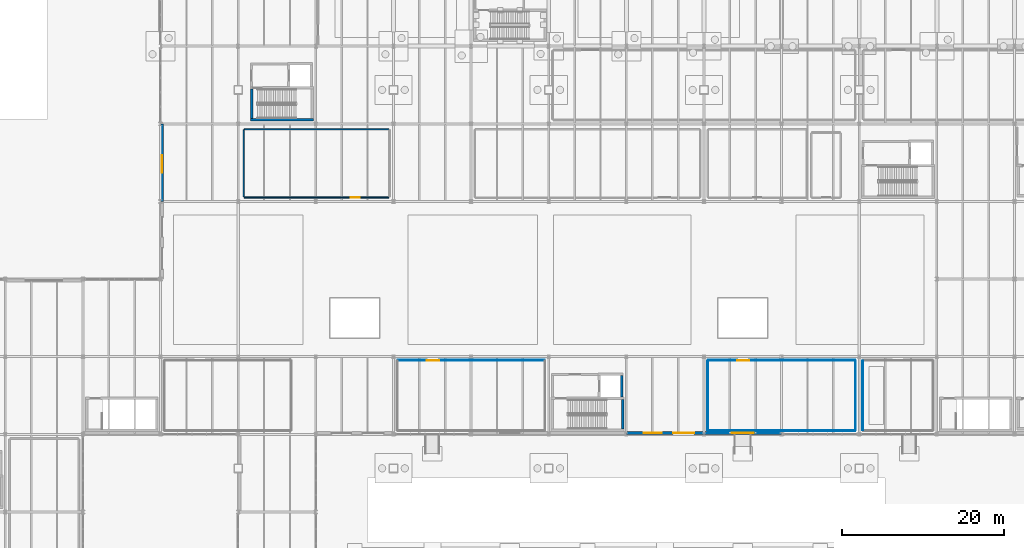
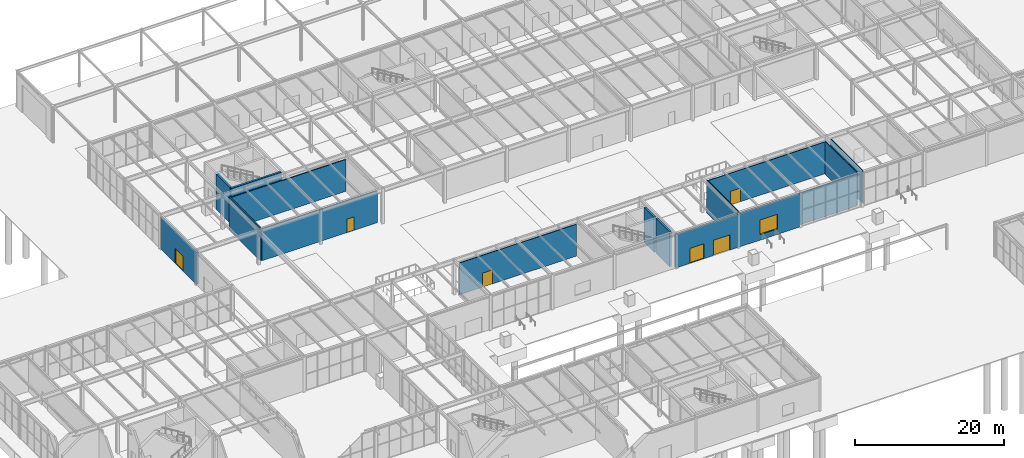
# One storey, part 120 of 142: 16 walls, 6 doors, 1 window, 7 openings.
"""IFC4 building model written with IfcOpenShell, lengths in metres."""

from ifc_helpers import new_model, si_unit, direction, frame, frame_2d, origin, place, context, subcontext, project, spatial, rectangle, extrude, material, layer, layer_set, type_object, element, fill, save


model = new_model("IFC4")

# Units and contexts
model_context = context("Model", 3, precision=1e-05, world=origin(), true_north=direction((0.0, 1.0)))
body_context = subcontext(model_context, "Body", "Model", "MODEL_VIEW")
ifc_project = project(units=[si_unit("LENGTHUNIT", "METRE"), si_unit("AREAUNIT", "SQUARE_METRE"), si_unit("VOLUMEUNIT", "CUBIC_METRE"), si_unit("PLANEANGLEUNIT", "RADIAN"), si_unit("MASSUNIT", "GRAM", prefix="KILO")], contexts=[model_context])

# Site, building, storey
site_placement = place(None, origin())
site = spatial("IfcSite", under=ifc_project, at=site_placement, CompositionType="ELEMENT")
building_placement = place(site_placement, origin())
building = spatial("IfcBuilding", under=site, at=building_placement, Name="Coralgate Yard Interchange", CompositionType="ELEMENT")
storey_placement = place(building_placement, origin())
storey = spatial("IfcBuildingStorey", under=building, at=storey_placement, Name="L00", CompositionType="ELEMENT", Elevation=0.0)

# Walls
ifc_material_1 = material(Name="Concrete C40/50", Category="concrete")
ifc_layer_1 = layer(ifc_material_1, 0.300048828125)
ifc_layer_set_1 = layer_set([ifc_layer_1], Name="Concrete C40/50")
wall_type_1 = type_object("IfcWallType", Name="WAL-CW300", PredefinedType="SHEAR", material=ifc_layer_set_1)
wall_1_placement = place(storey_placement, frame((49.5, 77.300048828125, 0.0), z_axis=(0.0, 0.0, 1.0), x_axis=(1.0, 0.0, 0.0)))
element("IfcWall", 1, at=wall_1_placement, inside=storey, type_object=wall_type_1, Name="C5 L00 stair south shear wall", PredefinedType="SHEAR", context=body_context, shape_type="SweptSolid", body=[
    extrude(rectangle(XDim=7.800048828125, YDim=0.300048828125, at=frame_2d((3.89990234375, 0.0))), origin(), (0.0, 0.0, 1.0), 5.75),
])
wall_2_placement = place(storey_placement, frame((49.64990234375, 77.449951171875, 0.0), z_axis=(0.0, 0.0, 1.0), x_axis=(0.0, 1.0, 0.0)))
element("IfcWall", 2, at=wall_2_placement, inside=storey, type_object=wall_type_1, Name="C5 L00 stair west shear wall", PredefinedType="SHEAR", context=body_context, shape_type="SweptSolid", body=[
    extrude(rectangle(XDim=3.650146484375, YDim=0.300048828125, at=frame_2d((1.8251953125, 0.0))), origin(), (0.0, 0.0, 1.0), 5.75),
])
wall_3_placement = place(storey_placement, frame((95.550048828125, 42.699951171875, 0.0), z_axis=(0.0, 0.0, 1.0), x_axis=(0.0, -1.0, 0.0)))
element("IfcWall", 3, at=wall_3_placement, inside=storey, type_object=wall_type_1, Name="C6 L00 stair east shear wall", PredefinedType="SHEAR", context=body_context, shape_type="SweptSolid", body=[
    extrude(rectangle(XDim=3.64990234375, YDim=0.300048828125, at=frame_2d((1.824951171875, 0.0))), origin(), (0.0, 0.0, 1.0), 5.75),
])
wall_4_placement = place(storey_placement, frame((95.449951171875, 43.0, 0.0), z_axis=(0.0, 0.0, 1.0), x_axis=(0.0, 1.0, 0.0)))
element("IfcWall", 4, at=wall_4_placement, inside=storey, type_object=wall_type_1, Name="C6 L00 lift rear shear wall", PredefinedType="SHEAR", context=body_context, shape_type="SweptSolid", body=[
    extrude(rectangle(XDim=2.699951171875, YDim=0.300048828125, at=frame_2d((1.35009765625, 0.0))), origin(), (0.0, 0.0, 1.0), 5.75),
])

# Wall, opening, door
ifc_material_2 = material(Name="Precast concrete C40/50", Category="concrete")
ifc_layer_2 = layer(ifc_material_2, 0.35009765625)
ifc_layer_set_2 = layer_set([ifc_layer_2], Name="Precast concrete C40/50")
wall_type_2 = type_object("IfcWallType", Name="WAL-EW-350", PredefinedType="SOLIDWALL", material=ifc_layer_set_2)
wall_5_placement = place(storey_placement, frame((38.574951171875, 67.219970703125, 0.0), z_axis=(0.0, 0.0, 1.0), x_axis=(0.0, 1.0, 0.0)))
wall_5 = element("IfcWall", 5, at=wall_5_placement, inside=storey, type_object=wall_type_2, Name="L00 exterior coastal wall W 4-7", PredefinedType="SOLIDWALL", context=body_context, shape_type="SweptSolid", body=[
    extrude(rectangle(XDim=9.56005859375, YDim=0.35009765625, at=frame_2d((4.780029296875, 0.0))), origin(), (0.0, 0.0, 1.0), 5.216796875),
])
opening_1_placement = place(wall_5_placement, frame((3.5, 0.0, 0.0)))
opening_1 = element("IfcOpeningElement", 6, at=opening_1_placement, cuts=wall_5, Name="Opening ED-5", PredefinedType="OPENING", context=body_context, shape_type="SweptSolid", body=[
    extrude(rectangle(XDim=2.199951171875, YDim=2.449951171875, at=frame_2d((1.10009765625, 1.22509765625))), frame((0.0, 0.18505859375, 0.0), z_axis=(0.0, -1.0, 0.0), x_axis=(1.0, 0.0, 0.0)), (0.0, 0.0, 1.0), 0.3701171875),
])
ifc_material_3 = material(Name="Anodised aluminium ticket-hall entrance double door", Category="aluminium")
door_type_1 = type_object("IfcDoorType", Name="DOR-ED-5", OperationType="NOTDEFINED", PredefinedType="DOOR", material=ifc_material_3)
door_1_placement = place(opening_1_placement, origin())
door_1 = element("IfcDoor", 7, at=door_1_placement, inside=storey, type_object=door_type_1, Name="L00 final exit double door ED-05", OperationType="DOUBLE_DOOR_SINGLE_SWING", OverallHeight=2.449951171875, OverallWidth=2.199951171875, PredefinedType="DOOR", context=body_context, shape_type="SweptSolid", body=[
    extrude(rectangle(XDim=2.199951171875, YDim=2.449951171875, at=frame_2d((1.10009765625, 1.22509765625))), frame((0.0, 0.02490234375, 0.0), z_axis=(0.0, -1.0, 0.0), x_axis=(1.0, 0.0, 0.0)), (0.0, 0.0, 1.0), 0.050048828125),
])
fill(opening_1, door_1)

# Wall, openings, doors
wall_6_placement = place(storey_placement, frame((105.580078125, 38.574951171875, 0.0), z_axis=(0.0, 0.0, 1.0), x_axis=(-1.0, 0.0, 0.0)))
wall_6 = element("IfcWall", 8, at=wall_6_placement, inside=storey, type_object=wall_type_2, Name="L00 exterior coastal wall S 10-4", PredefinedType="SOLIDWALL", context=body_context, shape_type="SweptSolid", body=[
    extrude(rectangle(XDim=9.56005859375, YDim=0.35009765625, at=frame_2d((4.780029296875, 0.0))), origin(), (0.0, 0.0, 1.0), 5.39990234375),
])
opening_2_placement = place(wall_6_placement, frame((1.199951171875, 0.0, 0.0)))
opening_2 = element("IfcOpeningElement", 9, at=opening_2_placement, cuts=wall_6, Name="Opening ED-6", PredefinedType="OPENING", context=body_context, shape_type="SweptSolid", body=[
    extrude(rectangle(XDim=2.60009765625, YDim=2.5, at=frame_2d((1.300048828125, 1.25))), frame((0.0, 0.18505859375, 0.0), z_axis=(0.0, -1.0, 0.0), x_axis=(1.0, 0.0, 0.0)), (0.0, 0.0, 1.0), 0.3701171875),
])
opening_3_placement = place(wall_6_placement, frame((5.199951171875, 0.0, 0.0)))
opening_3 = element("IfcOpeningElement", 10, at=opening_3_placement, cuts=wall_6, Name="Opening ED-5", PredefinedType="OPENING", context=body_context, shape_type="SweptSolid", body=[
    extrude(rectangle(XDim=2.199951171875, YDim=2.449951171875, at=frame_2d((1.10009765625, 1.22509765625))), frame((0.0, 0.18505859375, 0.0), z_axis=(0.0, -1.0, 0.0), x_axis=(1.0, 0.0, 0.0)), (0.0, 0.0, 1.0), 0.3701171875),
])
door_2_placement = place(opening_3_placement, origin())
door_2 = element("IfcDoor", 11, at=door_2_placement, inside=storey, type_object=door_type_1, Name="L00 final exit double door ED-19", OperationType="DOUBLE_DOOR_SINGLE_SWING", OverallHeight=2.449951171875, OverallWidth=2.199951171875, PredefinedType="DOOR", context=body_context, shape_type="SweptSolid", body=[
    extrude(rectangle(XDim=2.199951171875, YDim=2.449951171875, at=frame_2d((1.10009765625, 1.22509765625))), frame((0.0, 0.02490234375, 0.0), z_axis=(0.0, -1.0, 0.0), x_axis=(1.0, 0.0, 0.0)), (0.0, 0.0, 1.0), 0.050048828125),
])
fill(opening_3, door_2)
ifc_material_4 = material(Name="Anodised aluminium main concourse double door", Category="aluminium")
door_type_2 = type_object("IfcDoorType", Name="DOR-ED-6", OperationType="NOTDEFINED", PredefinedType="DOOR", material=ifc_material_4)
door_3_placement = place(opening_2_placement, origin())
door_3 = element("IfcDoor", 12, at=door_3_placement, inside=storey, type_object=door_type_2, Name="L00 final exit double door ED-18", OperationType="DOUBLE_DOOR_SINGLE_SWING", OverallHeight=2.5, OverallWidth=2.60009765625, PredefinedType="DOOR", context=body_context, shape_type="SweptSolid", body=[
    extrude(rectangle(XDim=2.60009765625, YDim=2.5, at=frame_2d((1.300048828125, 1.25))), frame((0.0, 0.02490234375, 0.0), z_axis=(0.0, -1.0, 0.0), x_axis=(1.0, 0.0, 0.0)), (0.0, 0.0, 1.0), 0.050048828125),
])
fill(opening_2, door_3)

# Wall, opening, window
wall_7_placement = place(storey_placement, frame((115.179931640625, 38.574951171875, 0.0), z_axis=(0.0, 0.0, 1.0), x_axis=(-1.0, 0.0, 0.0)))
wall_7 = element("IfcWall", 13, at=wall_7_placement, inside=storey, type_object=wall_type_2, Name="L00 exterior coastal wall S 11-4", PredefinedType="SOLIDWALL", context=body_context, shape_type="SweptSolid", body=[
    extrude(rectangle(XDim=9.559814453125, YDim=0.35009765625, at=frame_2d((4.77978515625, 0.0))), origin(), (0.0, 0.0, 1.0), 5.39990234375),
])
opening_4_placement = place(wall_7_placement, frame((3.429931640625, 0.0, 0.89990234375)))
opening_4 = element("IfcOpeningElement", 14, at=opening_4_placement, cuts=wall_7, Name="Opening W-14", PredefinedType="OPENING", context=body_context, shape_type="SweptSolid", body=[
    extrude(rectangle(XDim=2.699951171875, YDim=2.39990234375, at=frame_2d((1.35009765625, 1.199951171875))), frame((0.0, 0.18505859375, 0.0), z_axis=(0.0, -1.0, 0.0), x_axis=(1.0, 0.0, 0.0)), (0.0, 0.0, 1.0), 0.3701171875),
])
ifc_material_5 = material(Name="Thermally broken anodised aluminium and solar-control low-E glass", Category="aluminium")
window_type = type_object("IfcWindowType", Name="WIN-W-14", PartitioningType="SINGLE_PANEL", PredefinedType="WINDOW", material=ifc_material_5)
window_placement = place(opening_4_placement, origin())
window = element("IfcWindow", 15, at=window_placement, inside=storey, type_object=window_type, Name="L00 coastal facade window S-11-4", OverallHeight=2.39990234375, OverallWidth=2.699951171875, PartitioningType="SINGLE_PANEL", PredefinedType="WINDOW", context=body_context, shape_type="SweptSolid", body=[
    extrude(rectangle(XDim=2.699951171875, YDim=2.39990234375, at=frame_2d((1.35009765625, 1.199951171875))), frame((0.0, 0.030029296875, 0.0), z_axis=(0.0, -1.0, 0.0), x_axis=(1.0, 0.0, 0.0)), (0.0, 0.0, 1.0), 0.06005859375),
])
fill(opening_4, window)

# Wall, opening, door
ifc_material_6 = material(Name="Lightweight steel-stud retail partition", Category="steel")
ifc_layer_3 = layer(ifc_material_6, 0.1201171875)
ifc_layer_set_3 = layer_set([ifc_layer_3], Name="Lightweight steel-stud retail partition")
wall_type_3 = type_object("IfcWallType", Name="WAL-PW-120", PredefinedType="PARTITIONING", material=ifc_layer_set_3)
wall_8_placement = place(storey_placement, frame((67.719970703125, 47.5400390625, 0.0), z_axis=(0.0, 0.0, 1.0), x_axis=(1.0, 0.0, 0.0)))
wall_8 = element("IfcWall", 16, at=wall_8_placement, inside=storey, type_object=wall_type_3, Name="Concourse Pharmacy Retail 02 partition N", PredefinedType="PARTITIONING", context=body_context, shape_type="SweptSolid", body=[
    extrude(rectangle(XDim=18.159912109375, YDim=0.1201171875, at=frame_2d((9.080078125, 0.0))), origin(), (0.0, 0.0, 1.0), 5.206787109375),
])
opening_5_placement = place(wall_8_placement, frame((3.60009765625, 0.0, 0.0)))
opening_5 = element("IfcOpeningElement", 17, at=opening_5_placement, cuts=wall_8, Name="Opening ID-19", PredefinedType="OPENING", context=body_context, shape_type="SweptSolid", body=[
    extrude(rectangle(XDim=1.550048828125, YDim=2.300048828125, at=frame_2d((0.77490234375, 1.14990234375))), frame((0.0, 0.070068359375, 0.0), z_axis=(0.0, -1.0, 0.0), x_axis=(1.0, 0.0, 0.0)), (0.0, 0.0, 1.0), 0.14013671875),
])
ifc_material_7 = material(Name="Glazed mezzanine retail double door")
door_type_3 = type_object("IfcDoorType", Name="DOR-ID-19", OperationType="NOTDEFINED", PredefinedType="DOOR", material=ifc_material_7)
door_4_placement = place(opening_5_placement, origin())
door_4 = element("IfcDoor", 18, at=door_4_placement, inside=storey, type_object=door_type_3, Name="Concourse Pharmacy Retail 02 door", OperationType="DOUBLE_DOOR_SINGLE_SWING", OverallHeight=2.300048828125, OverallWidth=1.550048828125, PredefinedType="DOOR", context=body_context, shape_type="SweptSolid", body=[
    extrude(rectangle(XDim=1.550048828125, YDim=2.300048828125, at=frame_2d((0.77490234375, 1.14990234375))), frame((0.0, 0.02490234375, 0.0), z_axis=(0.0, -1.0, 0.0), x_axis=(1.0, 0.0, 0.0)), (0.0, 0.0, 1.0), 0.050048828125),
])
fill(opening_5, door_4)

# Wall
wall_9_placement = place(storey_placement, frame((124.280029296875, 38.860107421875, 0.0), z_axis=(0.0, 0.0, 1.0), x_axis=(-1.0, 0.0, 0.0)))
element("IfcWall", 19, at=wall_9_placement, inside=storey, type_object=wall_type_3, Name="Concourse Bookshop Retail 03 partition S", PredefinedType="PARTITIONING", context=body_context, shape_type="SweptSolid", body=[
    extrude(rectangle(XDim=18.159912109375, YDim=0.1201171875, at=frame_2d((9.080078125, 0.0))), origin(), (0.0, 0.0, 1.0), 5.206787109375),
])

# Wall, opening, door
wall_10_placement = place(storey_placement, frame((106.1201171875, 47.5400390625, 0.0), z_axis=(0.0, 0.0, 1.0), x_axis=(1.0, 0.0, 0.0)))
wall_10 = element("IfcWall", 20, at=wall_10_placement, inside=storey, type_object=wall_type_3, Name="Concourse Bookshop Retail 03 partition N", PredefinedType="PARTITIONING", context=body_context, shape_type="SweptSolid", body=[
    extrude(rectangle(XDim=18.159912109375, YDim=0.1201171875, at=frame_2d((9.080078125, 0.0))), origin(), (0.0, 0.0, 1.0), 5.206787109375),
])
opening_6_placement = place(wall_10_placement, frame((3.60009765625, 0.0, 0.0)))
opening_6 = element("IfcOpeningElement", 21, at=opening_6_placement, cuts=wall_10, Name="Opening ID-06", PredefinedType="OPENING", context=body_context, shape_type="SweptSolid", body=[
    extrude(rectangle(XDim=1.5, YDim=2.25, at=frame_2d((0.75, 1.125))), frame((0.0, 0.070068359375, 0.0), z_axis=(0.0, -1.0, 0.0), x_axis=(1.0, 0.0, 0.0)), (0.0, 0.0, 1.0), 0.14013671875),
])
ifc_material_8 = material(Name="Glazed aluminium retail and cafe double door", Category="aluminium")
door_type_4 = type_object("IfcDoorType", Name="DOR-ID-06", OperationType="NOTDEFINED", PredefinedType="DOOR", material=ifc_material_8)
door_5_placement = place(opening_6_placement, origin())
door_5 = element("IfcDoor", 22, at=door_5_placement, inside=storey, type_object=door_type_4, Name="Concourse Bookshop Retail 03 door", OperationType="DOUBLE_DOOR_SINGLE_SWING", OverallHeight=2.25, OverallWidth=1.5, PredefinedType="DOOR", context=body_context, shape_type="SweptSolid", body=[
    extrude(rectangle(XDim=1.5, YDim=2.25, at=frame_2d((0.75, 1.125))), frame((0.0, 0.02490234375, 0.0), z_axis=(0.0, -1.0, 0.0), x_axis=(1.0, 0.0, 0.0)), (0.0, 0.0, 1.0), 0.050048828125),
])
fill(opening_6, door_5)

# Walls
for number, where, z_axis, x_axis, name in (
    (23, (106.06005859375, 38.919921875, 0.0), (0.0, 0.0, 1.0), (0.0, 1.0, 0.0), "Concourse Bookshop Retail 03 partition W"),
    (24, (124.340087890625, 47.47998046875, 0.0), (0.0, 0.0, 1.0), (0.0, -1.0, 0.0), "Concourse Bookshop Retail 03 partition E"),
    (25, (125.260009765625, 38.919921875, 0.0), (0.0, 0.0, 1.0), (0.0, 1.0, 0.0), "Concourse Convenience Retail 04 partition W"),
):
    element("IfcWall", number, at=place(storey_placement, frame(where, z_axis=z_axis, x_axis=x_axis)), inside=storey, type_object=wall_type_3, Name=name, PredefinedType="PARTITIONING", context=body_context, shape_type="SweptSolid", body=[
        extrude(rectangle(XDim=8.56005859375, YDim=0.1201171875, at=frame_2d((4.280029296875, 0.0))), origin(), (0.0, 0.0, 1.0), 5.389892578125),
    ])

# Wall, opening, door
ifc_material_9 = material(Name="Fire-rated twin-stud gypsum partition")
ifc_layer_4 = layer(ifc_material_9, 0.159912109375)
ifc_layer_set_4 = layer_set([ifc_layer_4], Name="Fire-rated twin-stud gypsum partition")
wall_type_4 = type_object("IfcWallType", Name="WAL-PW-160", PredefinedType="PARTITIONING", material=ifc_layer_set_4)
wall_11_placement = place(storey_placement, frame((66.639892578125, 67.679931640625, 0.0), z_axis=(0.0, 0.0, 1.0), x_axis=(-1.0, 0.0, 0.0)))
wall_11 = element("IfcWall", 26, at=wall_11_placement, inside=storey, type_object=wall_type_4, Name="Ticket Counters and Fare Office partition S", PredefinedType="PARTITIONING", context=body_context, shape_type="SweptSolid", body=[
    extrude(rectangle(XDim=17.8798828125, YDim=0.159912109375, at=frame_2d((8.93994140625, 0.0))), origin(), (0.0, 0.0, 1.0), 5.206787109375),
])
opening_7_placement = place(wall_11_placement, frame((3.60009765625, 0.0, 0.0)))
opening_7 = element("IfcOpeningElement", 27, at=opening_7_placement, cuts=wall_11, Name="Opening ID-04", PredefinedType="OPENING", context=body_context, shape_type="SweptSolid", body=[
    extrude(rectangle(XDim=1.10009765625, YDim=2.199951171875, at=frame_2d((0.550048828125, 1.10009765625))), frame((0.0, 0.08984375, 0.0), z_axis=(0.0, -1.0, 0.0), x_axis=(1.0, 0.0, 0.0)), (0.0, 0.0, 1.0), 0.179931640625),
])
ifc_material_10 = material(Name="Fire-resisting acoustic timber corridor door", Category="wood")
door_type_5 = type_object("IfcDoorType", Name="DOR-ID-04", OperationType="NOTDEFINED", PredefinedType="DOOR", material=ifc_material_10)
door_6_placement = place(opening_7_placement, origin())
door_6 = element("IfcDoor", 28, at=door_6_placement, inside=storey, type_object=door_type_5, Name="Ticket Counters and Fare Office door", OperationType="SINGLE_SWING_RIGHT", OverallHeight=2.199951171875, OverallWidth=1.10009765625, PredefinedType="DOOR", context=body_context, shape_type="SweptSolid", body=[
    extrude(rectangle(XDim=1.10009765625, YDim=2.199951171875, at=frame_2d((0.550048828125, 1.10009765625))), frame((0.0, 0.02490234375, 0.0), z_axis=(0.0, -1.0, 0.0), x_axis=(1.0, 0.0, 0.0)), (0.0, 0.0, 1.0), 0.050048828125),
])
fill(opening_7, door_6)

# Walls
wall_12_placement = place(storey_placement, frame((48.760009765625, 76.1201171875, 0.0), z_axis=(0.0, 0.0, 1.0), x_axis=(1.0, 0.0, 0.0)))
element("IfcWall", 29, at=wall_12_placement, inside=storey, type_object=wall_type_4, Name="Ticket Counters and Fare Office partition N", PredefinedType="PARTITIONING", context=body_context, shape_type="SweptSolid", body=[
    extrude(rectangle(XDim=17.8798828125, YDim=0.159912109375, at=frame_2d((8.93994140625, 0.0))), origin(), (0.0, 0.0, 1.0), 5.206787109375),
])
wall_13_placement = place(storey_placement, frame((48.679931640625, 67.760009765625, 0.0), z_axis=(0.0, 0.0, 1.0), x_axis=(0.0, 1.0, 0.0)))
element("IfcWall", 30, at=wall_13_placement, inside=storey, type_object=wall_type_4, Name="Ticket Counters and Fare Office partition W", PredefinedType="PARTITIONING", context=body_context, shape_type="SweptSolid", body=[
    extrude(rectangle(XDim=8.280029296875, YDim=0.159912109375, at=frame_2d((4.14013671875, 0.0))), origin(), (0.0, 0.0, 1.0), 5.389892578125),
])

save(model, "model.ifc")
